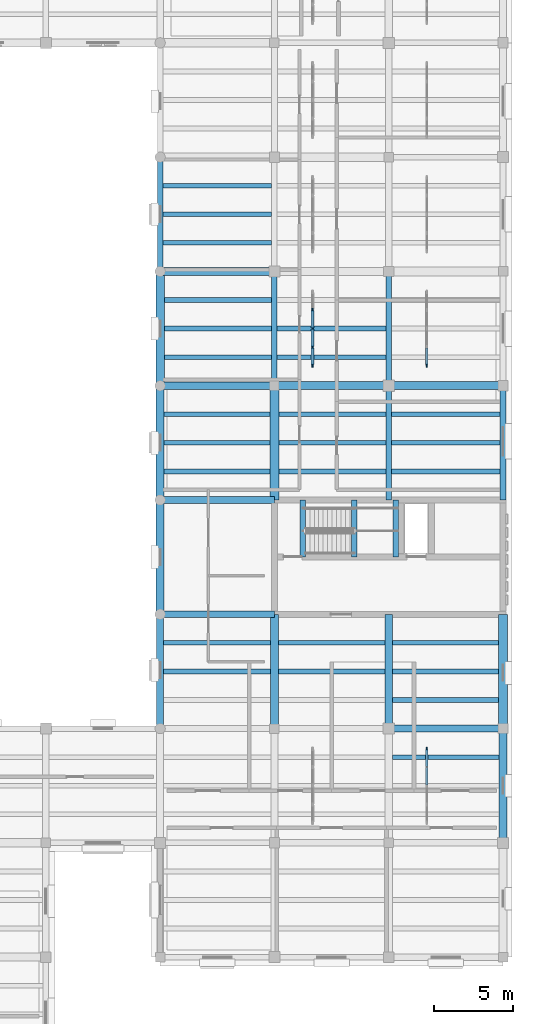
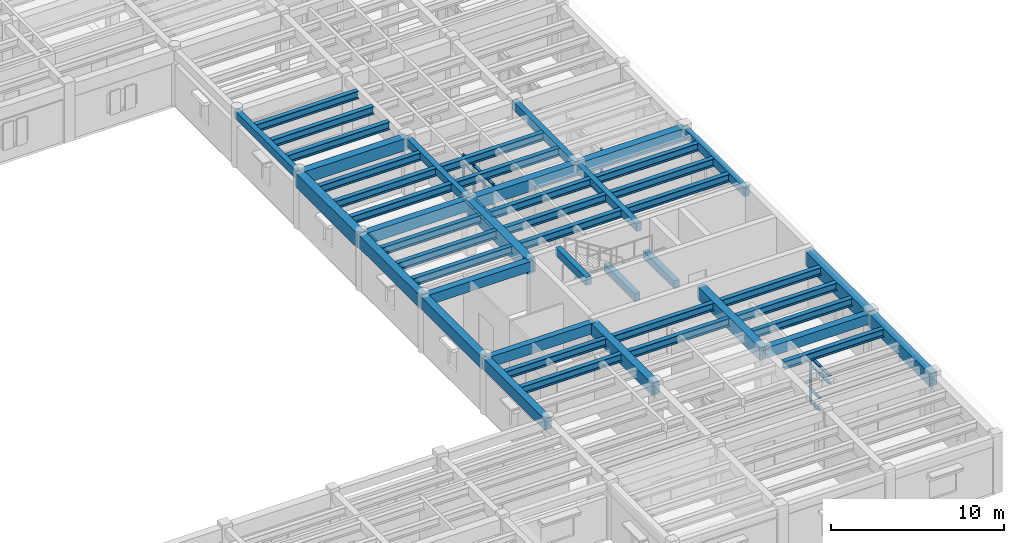
# One storey, part 16 of 66: 49 beams, 26 members, 3 elements without a shape of their own.
"""IFC4 building model written with IfcOpenShell, lengths in metres."""

from ifc_helpers import new_model, si_unit, direction, frame, origin, origin_2d, place, context, subcontext, project, spatial, rectangle, i_section, extrude, material, material_profile, profile_set, type_object, element, aggregate, save


model = new_model("IFC4")

# Units and contexts
model_context = context("Model", 3, precision=1e-05, world=origin(), true_north=direction((0.0, 1.0)))
body_context = subcontext(model_context, "Body", "Model", "MODEL_VIEW")
ifc_project = project(units=[si_unit("LENGTHUNIT", "METRE"), si_unit("AREAUNIT", "SQUARE_METRE"), si_unit("VOLUMEUNIT", "CUBIC_METRE"), si_unit("PLANEANGLEUNIT", "RADIAN"), si_unit("MASSUNIT", "GRAM", prefix="KILO")], contexts=[model_context])

# Site, building, storey
site_placement = place(None, origin())
site = spatial("IfcSite", under=ifc_project, at=site_placement, CompositionType="ELEMENT")
building_placement = place(site_placement, origin())
building = spatial("IfcBuilding", under=site, at=building_placement, Name="Mithqara Police Headquarters", CompositionType="ELEMENT")
storey_placement = place(building_placement, frame((0.0, 0.0, 9.60009765625)))
storey = spatial("IfcBuildingStorey", under=building, at=storey_placement, Name="L02", CompositionType="ELEMENT", Elevation=9.60009765625)

# Beams
ifc_material_1 = material(Name="Steel S355JR", Category="steel")
ifc_material_profile_1 = material_profile(ifc_material_1, i_section(OverallWidth=0.300048828125, OverallDepth=0.550048828125, WebThickness=0.014892578125, FlangeThickness=0.029052734375, FilletRadius=0.027099609375, at=origin_2d()), Name="HEB 550")
ifc_profile_set_1 = profile_set([ifc_material_profile_1], Name="Steel S355JR")
beam_type_1 = type_object("IfcBeamType", Name="BEAM HEB550", PredefinedType="BEAM", material=ifc_profile_set_1)
for number, where, z_axis, x_axis, name in (
    (1, (144.824951171875, 39.0, 3.664794921875), (1.0, 0.0, 0.0), (0.0, 1.0, 0.0), "L02 Composite Steel Joist 21-22/F.2"),
    (2, (144.824951171875, 40.800048828125, 3.664794921875), (1.0, 0.0, 0.0), (0.0, 1.0, 0.0), "L02 Composite Steel Joist 21-22/F.3"),
):
    element("IfcBeam", number, at=place(storey_placement, frame(where, z_axis=z_axis, x_axis=x_axis)), inside=storey, type_object=beam_type_1, Name=name, PredefinedType="BEAM", context=body_context, shape_type="SweptSolid", body=[
        extrude(i_section(OverallWidth=0.300048828125, OverallDepth=0.550048828125, WebThickness=0.014892578125, FlangeThickness=0.029052734375, FilletRadius=0.027099609375, at=origin_2d()), origin(), (0.0, 0.0, 1.0), 6.72509765625),
    ])
for number, where, z_axis, x_axis, name in (
    (3, (144.85009765625, 51.60009765625, 3.664794921875), (1.0, 0.0, 0.0), (0.0, 1.0, 0.0), "L02 Composite Steel Joist 21-22/H.1"),
    (4, (144.85009765625, 53.39990234375, 3.664794921875), (1.0, 0.0, 0.0), (0.0, 1.0, 0.0), "L02 Composite Steel Joist 21-22/H.2"),
    (5, (144.85009765625, 55.199951171875, 3.664794921875), (1.0, 0.0, 0.0), (0.0, 1.0, 0.0), "L02 Composite Steel Joist 21-22/H.3"),
):
    element("IfcBeam", number, at=place(storey_placement, frame(where, z_axis=z_axis, x_axis=x_axis)), inside=storey, type_object=beam_type_1, Name=name, PredefinedType="BEAM", context=body_context, shape_type="SweptSolid", body=[
        extrude(i_section(OverallWidth=0.300048828125, OverallDepth=0.550048828125, WebThickness=0.014892578125, FlangeThickness=0.029052734375, FilletRadius=0.027099609375, at=origin_2d()), origin(), (0.0, 0.0, 1.0), 6.6748046875),
    ])
for number, where, z_axis, x_axis, name in (
    (6, (144.875, 58.800048828125, 3.664794921875), (1.0, 0.0, 0.0), (0.0, 1.0, 0.0), "L02 Composite Steel Joist 21-22/J.1"),
    (7, (144.875, 60.60009765625, 3.664794921875), (1.0, 0.0, 0.0), (0.0, 1.0, 0.0), "L02 Composite Steel Joist 21-22/J.2"),
    (8, (144.875, 62.39990234375, 3.664794921875), (1.0, 0.0, 0.0), (0.0, 1.0, 0.0), "L02 Composite Steel Joist 21-22/J.3"),
):
    element("IfcBeam", number, at=place(storey_placement, frame(where, z_axis=z_axis, x_axis=x_axis)), inside=storey, type_object=beam_type_1, Name=name, PredefinedType="BEAM", context=body_context, shape_type="SweptSolid", body=[
        extrude(i_section(OverallWidth=0.300048828125, OverallDepth=0.550048828125, WebThickness=0.014892578125, FlangeThickness=0.029052734375, FilletRadius=0.027099609375, at=origin_2d()), origin(), (0.0, 0.0, 1.0), 6.75),
    ])
for number, where, z_axis, x_axis, name in (
    (9, (144.77490234375, 66.0, 3.664794921875), (1.0, 0.0, 0.0), (0.0, 1.0, 0.0), "L02 Composite Steel Joist 21-22/K.1"),
    (10, (144.77490234375, 67.800048828125, 3.664794921875), (1.0, 0.0, 0.0), (0.0, 1.0, 0.0), "L02 Composite Steel Joist 21-22/K.2"),
    (11, (144.77490234375, 69.60009765625, 3.664794921875), (1.0, 0.0, 0.0), (0.0, 1.0, 0.0), "L02 Composite Steel Joist 21-22/K.3"),
):
    element("IfcBeam", number, at=place(storey_placement, frame(where, z_axis=z_axis, x_axis=x_axis)), inside=storey, type_object=beam_type_1, Name=name, PredefinedType="BEAM", context=body_context, shape_type="SweptSolid", body=[
        extrude(i_section(OverallWidth=0.300048828125, OverallDepth=0.550048828125, WebThickness=0.014892578125, FlangeThickness=0.029052734375, FilletRadius=0.027099609375, at=origin_2d()), origin(), (0.0, 0.0, 1.0), 6.85009765625),
    ])
for number, where, z_axis, x_axis, name in (
    (12, (152.050048828125, 39.0, 3.664794921875), (1.0, 0.0, 0.0), (0.0, 1.0, 0.0), "L02 Composite Steel Joist 22-23/F.2"),
    (13, (152.050048828125, 40.800048828125, 3.664794921875), (1.0, 0.0, 0.0), (0.0, 1.0, 0.0), "L02 Composite Steel Joist 22-23/F.3"),
):
    element("IfcBeam", number, at=place(storey_placement, frame(where, z_axis=z_axis, x_axis=x_axis)), inside=storey, type_object=beam_type_1, Name=name, PredefinedType="BEAM", context=body_context, shape_type="SweptSolid", body=[
        extrude(i_section(OverallWidth=0.300048828125, OverallDepth=0.550048828125, WebThickness=0.014892578125, FlangeThickness=0.029052734375, FilletRadius=0.027099609375, at=origin_2d()), origin(), (0.0, 0.0, 1.0), 6.699951171875),
    ])
for number, where, z_axis, x_axis, name in (
    (14, (152.074951171875, 51.60009765625, 3.664794921875), (1.0, 0.0, 0.0), (0.0, 1.0, 0.0), "L02 Composite Steel Joist 22-23/H.1"),
    (15, (152.074951171875, 53.39990234375, 3.664794921875), (1.0, 0.0, 0.0), (0.0, 1.0, 0.0), "L02 Composite Steel Joist 22-23/H.2"),
    (16, (152.074951171875, 55.199951171875, 3.664794921875), (1.0, 0.0, 0.0), (0.0, 1.0, 0.0), "L02 Composite Steel Joist 22-23/H.3"),
):
    element("IfcBeam", number, at=place(storey_placement, frame(where, z_axis=z_axis, x_axis=x_axis)), inside=storey, type_object=beam_type_1, Name=name, PredefinedType="BEAM", context=body_context, shape_type="SweptSolid", body=[
        extrude(i_section(OverallWidth=0.300048828125, OverallDepth=0.550048828125, WebThickness=0.014892578125, FlangeThickness=0.029052734375, FilletRadius=0.027099609375, at=origin_2d()), origin(), (0.0, 0.0, 1.0), 6.75),
    ])
for number, where, z_axis, x_axis, name in (
    (17, (151.97509765625, 58.800048828125, 3.664794921875), (1.0, 0.0, 0.0), (0.0, 1.0, 0.0), "L02 Composite Steel Joist 22-23/J.1"),
    (18, (151.97509765625, 60.60009765625, 3.664794921875), (1.0, 0.0, 0.0), (0.0, 1.0, 0.0), "L02 Composite Steel Joist 22-23/J.2"),
):
    element("IfcBeam", number, at=place(storey_placement, frame(where, z_axis=z_axis, x_axis=x_axis)), inside=storey, type_object=beam_type_1, Name=name, PredefinedType="BEAM", context=body_context, shape_type="SweptSolid", body=[
        extrude(i_section(OverallWidth=0.300048828125, OverallDepth=0.550048828125, WebThickness=0.014892578125, FlangeThickness=0.029052734375, FilletRadius=0.027099609375, at=origin_2d()), origin(), (0.0, 0.0, 1.0), 6.849853515625),
    ])
beam_1_placement = place(storey_placement, frame((159.25, 33.60009765625, 3.664794921875), z_axis=(1.0, 0.0, 0.0), x_axis=(0.0, 1.0, 0.0)))
element("IfcBeam", 19, at=beam_1_placement, inside=storey, type_object=beam_type_1, Name="L02 Composite Steel Joist 23-24/E.3", PredefinedType="BEAM", context=body_context, shape_type="SweptSolid", body=[
    extrude(i_section(OverallWidth=0.300048828125, OverallDepth=0.550048828125, WebThickness=0.014892578125, FlangeThickness=0.029052734375, FilletRadius=0.027099609375, at=origin_2d()), origin(), (0.0, 0.0, 1.0), 6.699951171875),
])
for number, where, z_axis, x_axis, name in (
    (20, (159.25, 37.199951171875, 3.664794921875), (1.0, 0.0, 0.0), (0.0, 1.0, 0.0), "L02 Composite Steel Joist 23-24/F.1"),
    (21, (159.25, 39.0, 3.664794921875), (1.0, 0.0, 0.0), (0.0, 1.0, 0.0), "L02 Composite Steel Joist 23-24/F.2"),
    (22, (159.25, 40.800048828125, 3.664794921875), (1.0, 0.0, 0.0), (0.0, 1.0, 0.0), "L02 Composite Steel Joist 23-24/F.3"),
):
    element("IfcBeam", number, at=place(storey_placement, frame(where, z_axis=z_axis, x_axis=x_axis)), inside=storey, type_object=beam_type_1, Name=name, PredefinedType="BEAM", context=body_context, shape_type="SweptSolid", body=[
        extrude(i_section(OverallWidth=0.300048828125, OverallDepth=0.550048828125, WebThickness=0.014892578125, FlangeThickness=0.029052734375, FilletRadius=0.027099609375, at=origin_2d()), origin(), (0.0, 0.0, 1.0), 6.675048828125),
    ])
for number, where, z_axis, x_axis, name in (
    (23, (159.175048828125, 51.60009765625, 3.664794921875), (1.0, 0.0, 0.0), (0.0, 1.0, 0.0), "L02 Composite Steel Joist 23-24/H.1"),
    (24, (159.175048828125, 53.39990234375, 3.664794921875), (1.0, 0.0, 0.0), (0.0, 1.0, 0.0), "L02 Composite Steel Joist 23-24/H.2"),
    (25, (159.175048828125, 55.199951171875, 3.664794921875), (1.0, 0.0, 0.0), (0.0, 1.0, 0.0), "L02 Composite Steel Joist 23-24/H.3"),
):
    element("IfcBeam", number, at=place(storey_placement, frame(where, z_axis=z_axis, x_axis=x_axis)), inside=storey, type_object=beam_type_1, Name=name, PredefinedType="BEAM", context=body_context, shape_type="SweptSolid", body=[
        extrude(i_section(OverallWidth=0.300048828125, OverallDepth=0.550048828125, WebThickness=0.014892578125, FlangeThickness=0.029052734375, FilletRadius=0.027099609375, at=origin_2d()), origin(), (0.0, 0.0, 1.0), 6.849853515625),
    ])
ifc_material_2 = material(Name="Concrete C40/50", Category="concrete")
ifc_material_profile_2 = material_profile(ifc_material_2, rectangle(XDim=0.35009765625, YDim=0.550048828125, at=origin_2d()), Name="RC 350x550")
ifc_profile_set_2 = profile_set([ifc_material_profile_2], Name="Concrete C40/50")
beam_type_2 = type_object("IfcBeamType", Name="BEAM RC350X550", PredefinedType="BEAM", material=ifc_profile_set_2)
for number, where, z_axis, x_axis, name in (
    (26, (144.60009765625, 64.199951171875, 3.664794921875), (0.0, 1.0, 0.0), (-1.0, 0.0, 0.0), "L02 Girder 21/K-L"),
    (27, (151.800048828125, 57.0, 3.664794921875), (0.0, 1.0, 0.0), (-1.0, 0.0, 0.0), "L02 Girder 22/J-K"),
    (28, (159.0, 49.800048828125, 3.664794921875), (0.0, 1.0, 0.0), (-1.0, 0.0, 0.0), "L02 Girder 23/H-J"),
):
    element("IfcBeam", number, at=place(storey_placement, frame(where, z_axis=z_axis, x_axis=x_axis)), inside=storey, type_object=beam_type_2, Name=name, PredefinedType="BEAM", context=body_context, shape_type="SweptSolid", body=[
        extrude(rectangle(XDim=0.35009765625, YDim=0.550048828125, at=origin_2d()), origin(), (0.0, 0.0, 1.0), 7.199951171875),
    ])
for number, where, z_axis, x_axis, name in (
    (29, (156.830078125, 46.219970703125, 1.635009765625), (0.0, 1.0, 0.0), (-1.0, 0.0, 0.0), "L02 ST-04 Half-Landing Bearer LF"),
    (30, (159.449951171875, 46.219970703125, 1.635009765625), (0.0, 1.0, 0.0), (-1.0, 0.0, 0.0), "L02 ST-04 Half-Landing Bearer LB"),
    (31, (153.576904296875, 46.219970703125, 3.9248046875), (0.0, 1.0, 0.0), (-1.0, 0.0, 0.0), "L02 ST-04 Stairwell Trimmer Beam"),
):
    element("IfcBeam", number, at=place(storey_placement, frame(where, z_axis=z_axis, x_axis=x_axis)), inside=storey, type_object=beam_type_2, Name=name, PredefinedType="BEAM", context=body_context, shape_type="SweptSolid", body=[
        extrude(rectangle(XDim=0.35009765625, YDim=0.550048828125, at=origin_2d()), origin(), (0.0, 0.0, 1.0), 3.580078125),
    ])
ifc_material_profile_3 = material_profile(ifc_material_2, rectangle(XDim=0.35009765625, YDim=0.60009765625, at=origin_2d()), Name="RC 350x600")
ifc_profile_set_3 = profile_set([ifc_material_profile_3], Name="Concrete C40/50")
beam_type_3 = type_object("IfcBeamType", Name="BEAM RC350X600", PredefinedType="BEAM", material=ifc_profile_set_3)
for number, where, z_axis, x_axis, name in (
    (32, (159.0, 57.0, 3.639892578125), (0.0, 1.0, 0.0), (-1.0, 0.0, 0.0), "L02 Girder 23/J-K"),
    (33, (166.199951171875, 49.800048828125, 3.639892578125), (0.0, 1.0, 0.0), (-1.0, 0.0, 0.0), "L02 Girder 24/H-J"),
):
    element("IfcBeam", number, at=place(storey_placement, frame(where, z_axis=z_axis, x_axis=x_axis)), inside=storey, type_object=beam_type_3, Name=name, PredefinedType="BEAM", context=body_context, shape_type="SweptSolid", body=[
        extrude(rectangle(XDim=0.35009765625, YDim=0.60009765625, at=origin_2d()), origin(), (0.0, 0.0, 1.0), 7.199951171875),
    ])
ifc_material_profile_4 = material_profile(ifc_material_2, rectangle(XDim=0.39990234375, YDim=0.75, at=origin_2d()), Name="RC 400x750")
ifc_profile_set_4 = profile_set([ifc_material_profile_4], Name="Concrete C40/50")
beam_type_4 = type_object("IfcBeamType", Name="BEAM RC400X750", PredefinedType="BEAM", material=ifc_profile_set_4)
beam_2_placement = place(storey_placement, frame((144.60009765625, 42.60009765625, 3.56494140625), z_axis=(1.0, 0.0, 0.0), x_axis=(0.0, 1.0, 0.0)))
element("IfcBeam", 34, at=beam_2_placement, inside=storey, type_object=beam_type_4, Name="L02 Girder 21-22/G", PredefinedType="BEAM", context=body_context, shape_type="SweptSolid", body=[
    extrude(rectangle(XDim=0.39990234375, YDim=0.75, at=origin_2d()), origin(), (0.0, 0.0, 1.0), 7.199951171875),
])
ifc_material_profile_5 = material_profile(ifc_material_2, rectangle(XDim=0.449951171875, YDim=0.699951171875, at=origin_2d()), Name="RC 450x700")
ifc_profile_set_5 = profile_set([ifc_material_profile_5], Name="Concrete C40/50")
beam_type_5 = type_object("IfcBeamType", Name="BEAM RC450X700", PredefinedType="BEAM", material=ifc_profile_set_5)
for number, where, z_axis, x_axis, name in (
    (35, (144.60009765625, 49.800048828125, 3.58984375), (1.0, 0.0, 0.0), (0.0, 1.0, 0.0), "L02 Girder 21-22/H"),
    (36, (159.0, 35.39990234375, 3.58984375), (1.0, 0.0, 0.0), (0.0, 1.0, 0.0), "L02 Girder 23-24/F"),
):
    element("IfcBeam", number, at=place(storey_placement, frame(where, z_axis=z_axis, x_axis=x_axis)), inside=storey, type_object=beam_type_5, Name=name, PredefinedType="BEAM", context=body_context, shape_type="SweptSolid", body=[
        extrude(rectangle(XDim=0.449951171875, YDim=0.699951171875, at=origin_2d()), origin(), (0.0, 0.0, 1.0), 7.199951171875),
    ])
ifc_material_profile_6 = material_profile(ifc_material_2, rectangle(XDim=0.449951171875, YDim=0.800048828125, at=origin_2d()), Name="RC 450x800")
ifc_profile_set_6 = profile_set([ifc_material_profile_6], Name="Concrete C40/50")
beam_type_6 = type_object("IfcBeamType", Name="BEAM RC450X800", PredefinedType="BEAM", material=ifc_profile_set_6)
beam_3_placement = place(storey_placement, frame((144.60009765625, 35.39990234375, 3.539794921875), z_axis=(0.0, 1.0, 0.0), x_axis=(-1.0, 0.0, 0.0)))
element("IfcBeam", 37, at=beam_3_placement, inside=storey, type_object=beam_type_6, Name="L02 Girder 21/F-G", PredefinedType="BEAM", context=body_context, shape_type="SweptSolid", body=[
    extrude(rectangle(XDim=0.449951171875, YDim=0.800048828125, at=origin_2d()), origin(), (0.0, 0.0, 1.0), 7.2001953125),
])
beam_4_placement = place(storey_placement, frame((144.60009765625, 57.0, 3.539794921875), z_axis=(1.0, 0.0, 0.0), x_axis=(0.0, 1.0, 0.0)))
element("IfcBeam", 38, at=beam_4_placement, inside=storey, type_object=beam_type_6, Name="L02 Girder 21-22/J", PredefinedType="BEAM", context=body_context, shape_type="SweptSolid", body=[
    extrude(rectangle(XDim=0.449951171875, YDim=0.800048828125, at=origin_2d()), origin(), (0.0, 0.0, 1.0), 7.199951171875),
])
ifc_material_profile_7 = material_profile(ifc_material_2, rectangle(XDim=0.5, YDim=0.85009765625, at=origin_2d()), Name="RC 500x850")
ifc_profile_set_7 = profile_set([ifc_material_profile_7], Name="Concrete C40/50")
beam_type_7 = type_object("IfcBeamType", Name="BEAM RC500X850", PredefinedType="BEAM", material=ifc_profile_set_7)
for number, where, z_axis, x_axis, name in (
    (39, (144.60009765625, 42.60009765625, 3.514892578125), (0.0, 1.0, 0.0), (-1.0, 0.0, 0.0), "L02 Girder 21/G-H"),
    (40, (144.60009765625, 64.199951171875, 3.514892578125), (1.0, 0.0, 0.0), (0.0, 1.0, 0.0), "L02 Girder 21-22/K"),
):
    element("IfcBeam", number, at=place(storey_placement, frame(where, z_axis=z_axis, x_axis=x_axis)), inside=storey, type_object=beam_type_7, Name=name, PredefinedType="BEAM", context=body_context, shape_type="SweptSolid", body=[
        extrude(rectangle(XDim=0.5, YDim=0.85009765625, at=origin_2d()), origin(), (0.0, 0.0, 1.0), 7.199951171875),
    ])
beam_5_placement = place(storey_placement, frame((151.800048828125, 35.39990234375, 3.514892578125), z_axis=(0.0, 1.0, 0.0), x_axis=(-1.0, 0.0, 0.0)))
element("IfcBeam", 41, at=beam_5_placement, inside=storey, type_object=beam_type_7, Name="L02 Girder 22/F-G", PredefinedType="BEAM", context=body_context, shape_type="SweptSolid", body=[
    extrude(rectangle(XDim=0.5, YDim=0.85009765625, at=origin_2d()), origin(), (0.0, 0.0, 1.0), 7.2001953125),
])
beam_6_placement = place(storey_placement, frame((151.800048828125, 57.0, 3.514892578125), z_axis=(1.0, 0.0, 0.0), x_axis=(0.0, 1.0, 0.0)))
element("IfcBeam", 42, at=beam_6_placement, inside=storey, type_object=beam_type_7, Name="L02 Girder 22-23/J", PredefinedType="BEAM", context=body_context, shape_type="SweptSolid", body=[
    extrude(rectangle(XDim=0.5, YDim=0.85009765625, at=origin_2d()), origin(), (0.0, 0.0, 1.0), 7.199951171875),
])
ifc_material_3 = material(Name="Concrete C50/60", Category="concrete")
ifc_material_profile_8 = material_profile(ifc_material_3, rectangle(XDim=0.5, YDim=0.89990234375, at=origin_2d()), Name="RC 500x900")
ifc_profile_set_8 = profile_set([ifc_material_profile_8], Name="Concrete C50/60")
beam_type_8 = type_object("IfcBeamType", Name="BEAM RC500X900", PredefinedType="BEAM", material=ifc_profile_set_8)
beam_7_placement = place(storey_placement, frame((144.60009765625, 49.800048828125, 3.489990234375), z_axis=(0.0, 1.0, 0.0), x_axis=(-1.0, 0.0, 0.0)))
element("IfcBeam", 43, at=beam_7_placement, inside=storey, type_object=beam_type_8, Name="L02 Girder 21/H-J", PredefinedType="BEAM", context=body_context, shape_type="SweptSolid", body=[
    extrude(rectangle(XDim=0.5, YDim=0.89990234375, at=origin_2d()), origin(), (0.0, 0.0, 1.0), 7.199951171875),
])
beam_8_placement = place(storey_placement, frame((159.0, 35.39990234375, 3.489990234375), z_axis=(0.0, 1.0, 0.0), x_axis=(-1.0, 0.0, 0.0)))
element("IfcBeam", 44, at=beam_8_placement, inside=storey, type_object=beam_type_8, Name="L02 Girder 23/F-G", PredefinedType="BEAM", context=body_context, shape_type="SweptSolid", body=[
    extrude(rectangle(XDim=0.5, YDim=0.89990234375, at=origin_2d()), origin(), (0.0, 0.0, 1.0), 7.2001953125),
])
for number, where, z_axis, x_axis, name in (
    (45, (159.0, 57.0, 3.489990234375), (1.0, 0.0, 0.0), (0.0, 1.0, 0.0), "L02 Girder 23-24/J"),
    (46, (166.199951171875, 28.199951171875, 3.489990234375), (0.0, 1.0, 0.0), (-1.0, 0.0, 0.0), "L02 Girder 24/E-F"),
):
    element("IfcBeam", number, at=place(storey_placement, frame(where, z_axis=z_axis, x_axis=x_axis)), inside=storey, type_object=beam_type_8, Name=name, PredefinedType="BEAM", context=body_context, shape_type="SweptSolid", body=[
        extrude(rectangle(XDim=0.5, YDim=0.89990234375, at=origin_2d()), origin(), (0.0, 0.0, 1.0), 7.199951171875),
    ])
ifc_material_profile_9 = material_profile(ifc_material_3, rectangle(XDim=0.550048828125, YDim=1.0, at=origin_2d()), Name="RC 550x1000")
ifc_profile_set_9 = profile_set([ifc_material_profile_9], Name="Concrete C50/60")
beam_type_9 = type_object("IfcBeamType", Name="BEAM RC550X1000", PredefinedType="BEAM", material=ifc_profile_set_9)
for number, where, z_axis, x_axis, name in (
    (47, (144.60009765625, 57.0, 3.43994140625), (0.0, 1.0, 0.0), (-1.0, 0.0, 0.0), "L02 Girder 21/J-K"),
    (48, (151.800048828125, 49.800048828125, 3.43994140625), (0.0, 1.0, 0.0), (-1.0, 0.0, 0.0), "L02 Girder 22/H-J"),
):
    element("IfcBeam", number, at=place(storey_placement, frame(where, z_axis=z_axis, x_axis=x_axis)), inside=storey, type_object=beam_type_9, Name=name, PredefinedType="BEAM", context=body_context, shape_type="SweptSolid", body=[
        extrude(rectangle(XDim=0.550048828125, YDim=1.0, at=origin_2d()), origin(), (0.0, 0.0, 1.0), 7.199951171875),
    ])
beam_9_placement = place(storey_placement, frame((166.199951171875, 35.39990234375, 3.43994140625), z_axis=(0.0, 1.0, 0.0), x_axis=(-1.0, 0.0, 0.0)))
element("IfcBeam", 49, at=beam_9_placement, inside=storey, type_object=beam_type_9, Name="L02 Girder 24/F-G", PredefinedType="BEAM", context=body_context, shape_type="SweptSolid", body=[
    extrude(rectangle(XDim=0.550048828125, YDim=1.0, at=origin_2d()), origin(), (0.0, 0.0, 1.0), 7.2001953125),
])

# Curtain wall, members
ifc_material_4 = material(Name="Bronze anodised aluminium 6063-T6", Category="aluminium")
curtain_wall_type = type_object("IfcCurtainWallType", Name="CURTAIN WALL 4700X3220", PredefinedType="USERDEFINED", material=ifc_material_4)
curtain_wall_1_placement = place(storey_placement, origin())
curtain_wall_1 = element("IfcCurtainWall", 50, at=curtain_wall_1_placement, inside=storey, type_object=curtain_wall_type, Name="L02 Unitised Glazing CW-16 (CW-INT-L02-X21-Y08-0)", ObjectType="UNITISED GLAZING", PredefinedType="USERDEFINED")
ifc_material_profile_10 = material_profile(ifc_material_4, rectangle(XDim=0.074951171875, YDim=0.219970703125, at=origin_2d()), Name="CWM 75x220")
ifc_profile_set_10 = profile_set([ifc_material_profile_10], Name="Bronze anodised aluminium 6063-T6")
member_type_1 = type_object("IfcMemberType", Name="CWMULLION 75X220", PredefinedType="MULLION", material=ifc_profile_set_10)
member_1_placement = place(storey_placement, frame((154.199951171875, 58.28759765625, 0.0), z_axis=(0.0, 0.0, 1.0), x_axis=(-1.0, 0.0, 0.0)))
member_1 = element("IfcMember", 51, at=member_1_placement, type_object=member_type_1, Name="CW-16 mullion 1", PredefinedType="MULLION", context=body_context, shape_type="SweptSolid", body=[
    extrude(rectangle(XDim=0.074951171875, YDim=0.219970703125, at=origin_2d()), origin(), (0.0, 0.0, 1.0), 3.219970703125),
])
member_2_placement = place(storey_placement, frame((154.199951171875, 59.425048828125, 0.0), z_axis=(0.0, 0.0, 1.0), x_axis=(-1.0, 0.0, 0.0)))
member_2 = element("IfcMember", 52, at=member_2_placement, type_object=member_type_1, Name="CW-16 mullion 2", PredefinedType="MULLION", context=body_context, shape_type="SweptSolid", body=[
    extrude(rectangle(XDim=0.074951171875, YDim=0.219970703125, at=origin_2d()), origin(), (0.0, 0.0, 1.0), 3.219970703125),
])
member_3_placement = place(storey_placement, frame((154.199951171875, 60.60009765625, 0.0), z_axis=(0.0, 0.0, 1.0), x_axis=(-1.0, 0.0, 0.0)))
member_3 = element("IfcMember", 53, at=member_3_placement, type_object=member_type_1, Name="CW-16 mullion 3", PredefinedType="MULLION", context=body_context, shape_type="SweptSolid", body=[
    extrude(rectangle(XDim=0.074951171875, YDim=0.219970703125, at=origin_2d()), origin(), (0.0, 0.0, 1.0), 3.219970703125),
])
member_4_placement = place(storey_placement, frame((154.199951171875, 61.77490234375, 0.0), z_axis=(0.0, 0.0, 1.0), x_axis=(-1.0, 0.0, 0.0)))
member_4 = element("IfcMember", 54, at=member_4_placement, type_object=member_type_1, Name="CW-16 mullion 4", PredefinedType="MULLION", context=body_context, shape_type="SweptSolid", body=[
    extrude(rectangle(XDim=0.074951171875, YDim=0.219970703125, at=origin_2d()), origin(), (0.0, 0.0, 1.0), 3.219970703125),
])

# Curtain wall, member
curtain_wall_2_placement = place(storey_placement, origin())
curtain_wall_2 = element("IfcCurtainWall", 55, at=curtain_wall_2_placement, inside=storey, type_object=curtain_wall_type, Name="L02 Unitised Glazing CW-16 (CW-INT-L02-X22-Y04-0)", ObjectType="UNITISED GLAZING", PredefinedType="USERDEFINED")
member_5_placement = place(storey_placement, frame((161.39990234375, 34.112548828125, 0.0), z_axis=(0.0, 0.0, 1.0), x_axis=(-1.0, 0.0, 0.0)))
member_5 = element("IfcMember", 56, at=member_5_placement, type_object=member_type_1, Name="CW-16 mullion 5", PredefinedType="MULLION", context=body_context, shape_type="SweptSolid", body=[
    extrude(rectangle(XDim=0.074951171875, YDim=0.219970703125, at=origin_2d()), origin(), (0.0, 0.0, 1.0), 3.219970703125),
])

curtain_wall_3_placement = place(storey_placement, origin())
curtain_wall_3 = element("IfcCurtainWall", 57, at=curtain_wall_3_placement, inside=storey, type_object=curtain_wall_type, Name="L02 Unitised Glazing CW-16 (CW-INT-L02-X22-Y08-0)", ObjectType="UNITISED GLAZING", PredefinedType="USERDEFINED")
member_6_placement = place(storey_placement, frame((161.39990234375, 58.28759765625, 0.0), z_axis=(0.0, 0.0, 1.0), x_axis=(-1.0, 0.0, 0.0)))
member_6 = element("IfcMember", 58, at=member_6_placement, type_object=member_type_1, Name="CW-16 mullion 1", PredefinedType="MULLION", context=body_context, shape_type="SweptSolid", body=[
    extrude(rectangle(XDim=0.074951171875, YDim=0.219970703125, at=origin_2d()), origin(), (0.0, 0.0, 1.0), 3.219970703125),
])

# Member
ifc_material_profile_11 = material_profile(ifc_material_4, rectangle(XDim=0.179931640625, YDim=0.074951171875, at=origin_2d()), Name="CWT 180x75")
ifc_profile_set_11 = profile_set([ifc_material_profile_11], Name="Bronze anodised aluminium 6063-T6")
member_type_2 = type_object("IfcMemberType", Name="CWTRANSOM 180X75", PredefinedType="USERDEFINED", material=ifc_profile_set_11)
member_7_placement = place(storey_placement, frame((154.199951171875, 58.324951171875, 0.037353515625), z_axis=(0.0, 1.0, 0.0), x_axis=(-1.0, 0.0, 0.0)))
member_7 = element("IfcMember", 59, at=member_7_placement, type_object=member_type_2, Name="CW-16 transom 1.1", ObjectType="TRANSOM", PredefinedType="USERDEFINED", context=body_context, shape_type="SweptSolid", body=[
    extrude(rectangle(XDim=0.179931640625, YDim=0.074951171875, at=origin_2d()), origin(), (0.0, 0.0, 1.0), 1.0625),
])

member_8_placement = place(storey_placement, frame((154.199951171875, 58.324951171875, 0.89990234375), z_axis=(0.0, 1.0, 0.0), x_axis=(-1.0, 0.0, 0.0)))
member_8 = element("IfcMember", 60, at=member_8_placement, type_object=member_type_2, Name="CW-16 transom 1.2", ObjectType="TRANSOM", PredefinedType="USERDEFINED", context=body_context, shape_type="SweptSolid", body=[
    extrude(rectangle(XDim=0.179931640625, YDim=0.074951171875, at=origin_2d()), origin(), (0.0, 0.0, 1.0), 1.0625),
])

member_9_placement = place(storey_placement, frame((154.199951171875, 58.324951171875, 2.669921875), z_axis=(0.0, 1.0, 0.0), x_axis=(-1.0, 0.0, 0.0)))
member_9 = element("IfcMember", 61, at=member_9_placement, type_object=member_type_2, Name="CW-16 transom 1.3", ObjectType="TRANSOM", PredefinedType="USERDEFINED", context=body_context, shape_type="SweptSolid", body=[
    extrude(rectangle(XDim=0.179931640625, YDim=0.074951171875, at=origin_2d()), origin(), (0.0, 0.0, 1.0), 1.0625),
])

member_10_placement = place(storey_placement, frame((154.199951171875, 58.324951171875, 3.182373046875), z_axis=(0.0, 1.0, 0.0), x_axis=(-1.0, 0.0, 0.0)))
member_10 = element("IfcMember", 62, at=member_10_placement, type_object=member_type_2, Name="CW-16 transom 1.4", ObjectType="TRANSOM", PredefinedType="USERDEFINED", context=body_context, shape_type="SweptSolid", body=[
    extrude(rectangle(XDim=0.179931640625, YDim=0.074951171875, at=origin_2d()), origin(), (0.0, 0.0, 1.0), 1.0625),
])

member_11_placement = place(storey_placement, frame((154.199951171875, 59.46240234375, 0.037353515625), z_axis=(0.0, 1.0, 0.0), x_axis=(-1.0, 0.0, 0.0)))
member_11 = element("IfcMember", 63, at=member_11_placement, type_object=member_type_2, Name="CW-16 transom 2.1", ObjectType="TRANSOM", PredefinedType="USERDEFINED", context=body_context, shape_type="SweptSolid", body=[
    extrude(rectangle(XDim=0.179931640625, YDim=0.074951171875, at=origin_2d()), origin(), (0.0, 0.0, 1.0), 1.10009765625),
])

member_12_placement = place(storey_placement, frame((154.199951171875, 59.46240234375, 0.89990234375), z_axis=(0.0, 1.0, 0.0), x_axis=(-1.0, 0.0, 0.0)))
member_12 = element("IfcMember", 64, at=member_12_placement, type_object=member_type_2, Name="CW-16 transom 2.2", ObjectType="TRANSOM", PredefinedType="USERDEFINED", context=body_context, shape_type="SweptSolid", body=[
    extrude(rectangle(XDim=0.179931640625, YDim=0.074951171875, at=origin_2d()), origin(), (0.0, 0.0, 1.0), 1.10009765625),
])

member_13_placement = place(storey_placement, frame((154.199951171875, 59.46240234375, 2.669921875), z_axis=(0.0, 1.0, 0.0), x_axis=(-1.0, 0.0, 0.0)))
member_13 = element("IfcMember", 65, at=member_13_placement, type_object=member_type_2, Name="CW-16 transom 2.3", ObjectType="TRANSOM", PredefinedType="USERDEFINED", context=body_context, shape_type="SweptSolid", body=[
    extrude(rectangle(XDim=0.179931640625, YDim=0.074951171875, at=origin_2d()), origin(), (0.0, 0.0, 1.0), 1.10009765625),
])

member_14_placement = place(storey_placement, frame((154.199951171875, 59.46240234375, 3.182373046875), z_axis=(0.0, 1.0, 0.0), x_axis=(-1.0, 0.0, 0.0)))
member_14 = element("IfcMember", 66, at=member_14_placement, type_object=member_type_2, Name="CW-16 transom 2.4", ObjectType="TRANSOM", PredefinedType="USERDEFINED", context=body_context, shape_type="SweptSolid", body=[
    extrude(rectangle(XDim=0.179931640625, YDim=0.074951171875, at=origin_2d()), origin(), (0.0, 0.0, 1.0), 1.10009765625),
])

member_15_placement = place(storey_placement, frame((154.199951171875, 60.637451171875, 0.037353515625), z_axis=(0.0, 1.0, 0.0), x_axis=(-1.0, 0.0, 0.0)))
member_15 = element("IfcMember", 67, at=member_15_placement, type_object=member_type_2, Name="CW-16 transom 3.1", ObjectType="TRANSOM", PredefinedType="USERDEFINED", context=body_context, shape_type="SweptSolid", body=[
    extrude(rectangle(XDim=0.179931640625, YDim=0.074951171875, at=origin_2d()), origin(), (0.0, 0.0, 1.0), 1.10009765625),
])

member_16_placement = place(storey_placement, frame((154.199951171875, 60.637451171875, 0.89990234375), z_axis=(0.0, 1.0, 0.0), x_axis=(-1.0, 0.0, 0.0)))
member_16 = element("IfcMember", 68, at=member_16_placement, type_object=member_type_2, Name="CW-16 transom 3.2", ObjectType="TRANSOM", PredefinedType="USERDEFINED", context=body_context, shape_type="SweptSolid", body=[
    extrude(rectangle(XDim=0.179931640625, YDim=0.074951171875, at=origin_2d()), origin(), (0.0, 0.0, 1.0), 1.10009765625),
])

member_17_placement = place(storey_placement, frame((154.199951171875, 60.637451171875, 2.669921875), z_axis=(0.0, 1.0, 0.0), x_axis=(-1.0, 0.0, 0.0)))
member_17 = element("IfcMember", 69, at=member_17_placement, type_object=member_type_2, Name="CW-16 transom 3.3", ObjectType="TRANSOM", PredefinedType="USERDEFINED", context=body_context, shape_type="SweptSolid", body=[
    extrude(rectangle(XDim=0.179931640625, YDim=0.074951171875, at=origin_2d()), origin(), (0.0, 0.0, 1.0), 1.10009765625),
])

member_18_placement = place(storey_placement, frame((154.199951171875, 60.637451171875, 3.182373046875), z_axis=(0.0, 1.0, 0.0), x_axis=(-1.0, 0.0, 0.0)))
member_18 = element("IfcMember", 70, at=member_18_placement, type_object=member_type_2, Name="CW-16 transom 3.4", ObjectType="TRANSOM", PredefinedType="USERDEFINED", context=body_context, shape_type="SweptSolid", body=[
    extrude(rectangle(XDim=0.179931640625, YDim=0.074951171875, at=origin_2d()), origin(), (0.0, 0.0, 1.0), 1.10009765625),
])

aggregate(curtain_wall_1, [member_1, member_2, member_3, member_4, member_7, member_8, member_9, member_10, member_11, member_12, member_13, member_14, member_15, member_16, member_17, member_18])

member_19_placement = place(storey_placement, frame((161.39990234375, 31.83740234375, 2.669921875), z_axis=(0.0, 1.0, 0.0), x_axis=(-1.0, 0.0, 0.0)))
member_19 = element("IfcMember", 71, at=member_19_placement, type_object=member_type_2, Name="CW-16 transom 3.3", ObjectType="TRANSOM", PredefinedType="USERDEFINED", context=body_context, shape_type="SweptSolid", body=[
    extrude(rectangle(XDim=0.179931640625, YDim=0.074951171875, at=origin_2d()), origin(), (0.0, 0.0, 1.0), 1.10009765625),
])

member_20_placement = place(storey_placement, frame((161.39990234375, 31.83740234375, 3.182373046875), z_axis=(0.0, 1.0, 0.0), x_axis=(-1.0, 0.0, 0.0)))
member_20 = element("IfcMember", 72, at=member_20_placement, type_object=member_type_2, Name="CW-16 transom 3.4", ObjectType="TRANSOM", PredefinedType="USERDEFINED", context=body_context, shape_type="SweptSolid", body=[
    extrude(rectangle(XDim=0.179931640625, YDim=0.074951171875, at=origin_2d()), origin(), (0.0, 0.0, 1.0), 1.10009765625),
])

member_21_placement = place(storey_placement, frame((161.39990234375, 33.012451171875, 0.037353515625), z_axis=(0.0, 1.0, 0.0), x_axis=(-1.0, 0.0, 0.0)))
member_21 = element("IfcMember", 73, at=member_21_placement, type_object=member_type_2, Name="CW-16 transom 4.1", ObjectType="TRANSOM", PredefinedType="USERDEFINED", context=body_context, shape_type="SweptSolid", body=[
    extrude(rectangle(XDim=0.179931640625, YDim=0.074951171875, at=origin_2d()), origin(), (0.0, 0.0, 1.0), 1.0625),
])

member_22_placement = place(storey_placement, frame((161.39990234375, 33.012451171875, 0.89990234375), z_axis=(0.0, 1.0, 0.0), x_axis=(-1.0, 0.0, 0.0)))
member_22 = element("IfcMember", 74, at=member_22_placement, type_object=member_type_2, Name="CW-16 transom 4.2", ObjectType="TRANSOM", PredefinedType="USERDEFINED", context=body_context, shape_type="SweptSolid", body=[
    extrude(rectangle(XDim=0.179931640625, YDim=0.074951171875, at=origin_2d()), origin(), (0.0, 0.0, 1.0), 1.0625),
])

member_23_placement = place(storey_placement, frame((161.39990234375, 33.012451171875, 2.669921875), z_axis=(0.0, 1.0, 0.0), x_axis=(-1.0, 0.0, 0.0)))
member_23 = element("IfcMember", 75, at=member_23_placement, type_object=member_type_2, Name="CW-16 transom 4.3", ObjectType="TRANSOM", PredefinedType="USERDEFINED", context=body_context, shape_type="SweptSolid", body=[
    extrude(rectangle(XDim=0.179931640625, YDim=0.074951171875, at=origin_2d()), origin(), (0.0, 0.0, 1.0), 1.0625),
])

member_24_placement = place(storey_placement, frame((161.39990234375, 33.012451171875, 3.182373046875), z_axis=(0.0, 1.0, 0.0), x_axis=(-1.0, 0.0, 0.0)))
member_24 = element("IfcMember", 76, at=member_24_placement, type_object=member_type_2, Name="CW-16 transom 4.4", ObjectType="TRANSOM", PredefinedType="USERDEFINED", context=body_context, shape_type="SweptSolid", body=[
    extrude(rectangle(XDim=0.179931640625, YDim=0.074951171875, at=origin_2d()), origin(), (0.0, 0.0, 1.0), 1.0625),
])

aggregate(curtain_wall_2, [member_5, member_19, member_20, member_21, member_22, member_23, member_24])

member_25_placement = place(storey_placement, frame((161.39990234375, 58.324951171875, 0.037353515625), z_axis=(0.0, 1.0, 0.0), x_axis=(-1.0, 0.0, 0.0)))
member_25 = element("IfcMember", 77, at=member_25_placement, type_object=member_type_2, Name="CW-16 transom 1.1", ObjectType="TRANSOM", PredefinedType="USERDEFINED", context=body_context, shape_type="SweptSolid", body=[
    extrude(rectangle(XDim=0.179931640625, YDim=0.074951171875, at=origin_2d()), origin(), (0.0, 0.0, 1.0), 1.0625),
])

member_26_placement = place(storey_placement, frame((161.39990234375, 58.324951171875, 0.89990234375), z_axis=(0.0, 1.0, 0.0), x_axis=(-1.0, 0.0, 0.0)))
member_26 = element("IfcMember", 78, at=member_26_placement, type_object=member_type_2, Name="CW-16 transom 1.2", ObjectType="TRANSOM", PredefinedType="USERDEFINED", context=body_context, shape_type="SweptSolid", body=[
    extrude(rectangle(XDim=0.179931640625, YDim=0.074951171875, at=origin_2d()), origin(), (0.0, 0.0, 1.0), 1.0625),
])

aggregate(curtain_wall_3, [member_6, member_25, member_26])

save(model, "model.ifc")
